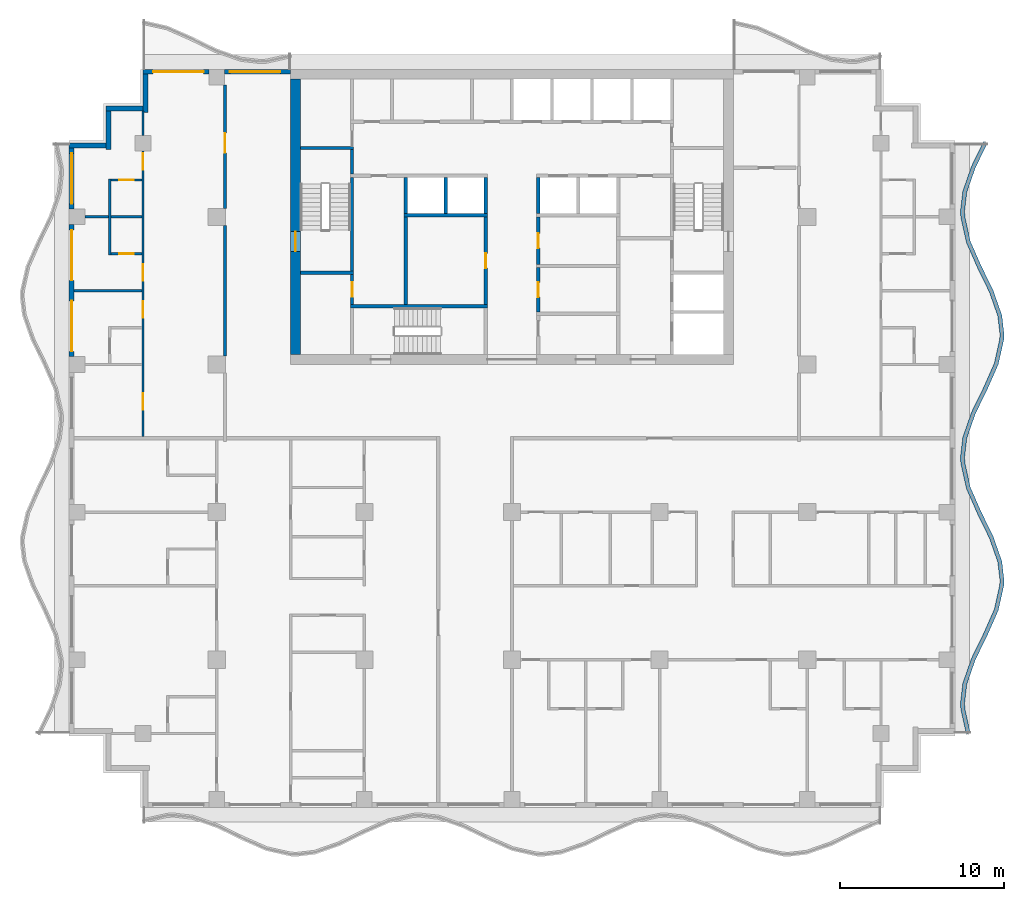
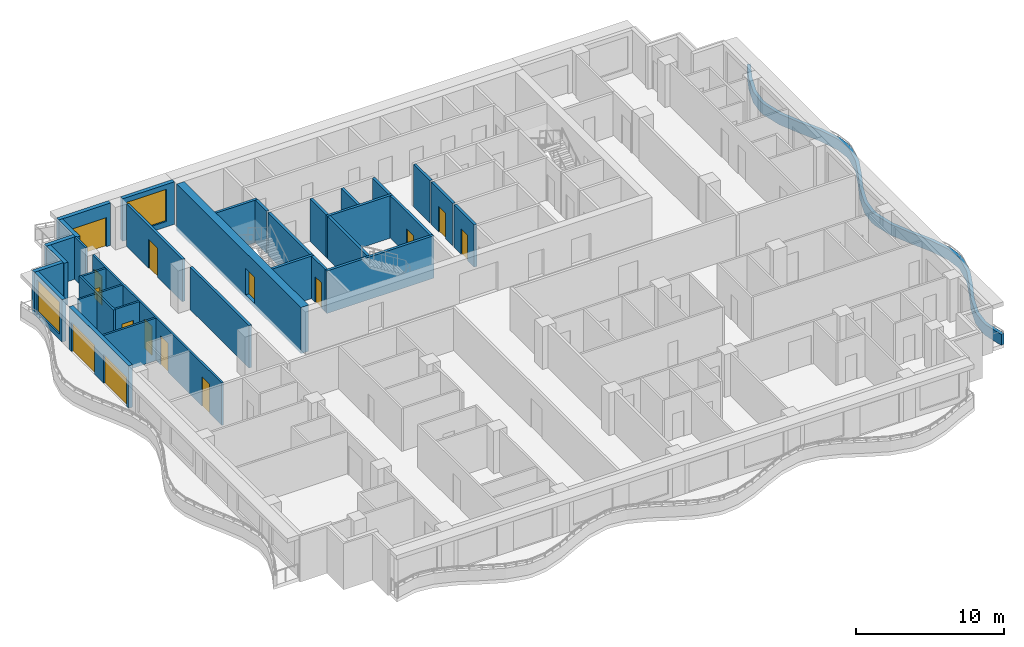
# One storey, part 5 of 11: 35 walls, 15 doors, 2 windows, 17 openings.
"""IFC4 building model written with IfcOpenShell, lengths in metres."""

from ifc_helpers import new_model, si_unit, direction, frame, frame_2d, origin, place, context, subcontext, project, spatial, polyline, rectangle, outline, extrude, material, layer, layer_set, type_object, element, fill, save


model = new_model("IFC4")

# Units and contexts
model_context = context("Model", 3, precision=1e-05, world=origin(), true_north=direction((0.0, 1.0)))
body_context = subcontext(model_context, "Body", "Model", "MODEL_VIEW")
ifc_project = project(units=[si_unit("LENGTHUNIT", "METRE"), si_unit("AREAUNIT", "SQUARE_METRE"), si_unit("VOLUMEUNIT", "CUBIC_METRE"), si_unit("PLANEANGLEUNIT", "RADIAN"), si_unit("MASSUNIT", "GRAM", prefix="KILO")], contexts=[model_context])

# Site, building, storey
site_placement = place(None, origin())
site = spatial("IfcSite", under=ifc_project, at=site_placement, CompositionType="ELEMENT")
building_placement = place(site_placement, origin())
building = spatial("IfcBuilding", under=site, at=building_placement, Name="Orbiselva Terraces", CompositionType="ELEMENT")
storey_placement = place(building_placement, frame((0.0, 0.0, 230.0)))
storey = spatial("IfcBuildingStorey", under=building, at=storey_placement, Name="L58", CompositionType="ELEMENT", Elevation=230.0)

# Wall, opening, door
ifc_material_1 = material(Name="Concrete C80/95", Category="concrete")
ifc_layer_1 = layer(ifc_material_1, 0.6)
ifc_layer_set_1 = layer_set([ifc_layer_1], Name="Concrete C80/95")
wall_type_1 = type_object("IfcWallType", Name="CORE WALL 600", PredefinedType="SHEAR", material=ifc_layer_set_1)
wall_1_placement = place(storey_placement, frame((-13.2, 21.9, -0.3), z_axis=(0.0, 0.0, 1.0), x_axis=(0.0, -1.0, 0.0)))
wall_1 = element("IfcWall", 1, at=wall_1_placement, inside=storey, type_object=wall_type_1, Name="Core wall L58 west", PredefinedType="SHEAR", context=body_context, shape_type="SweptSolid", body=[
    extrude(rectangle(XDim=16.8, YDim=0.6, at=frame_2d((8.4, 0.0))), origin(), (0.0, 0.0, 1.0), 3.8),
])
opening_1_placement = place(wall_1_placement, frame((9.3, 0.0, 0.3)))
opening_1 = element("IfcOpeningElement", 2, at=opening_1_placement, cuts=wall_1, Name="Opening DS1200", PredefinedType="OPENING", context=body_context, shape_type="SweptSolid", body=[
    extrude(rectangle(XDim=1.2, YDim=2.2, at=frame_2d((0.6, 1.1))), frame((0.0, 0.31, 0.0), z_axis=(0.0, -1.0, 0.0), x_axis=(1.0, 0.0, 0.0)), (0.0, 0.0, 1.0), 0.62),
])
ifc_material_2 = material(Name="Steel fire door", Category="steel")
door_type_1 = type_object("IfcDoorType", Name="STAIR DOOR 1200", OperationType="NOTDEFINED", PredefinedType="DOOR", material=ifc_material_2)
door_1_placement = place(opening_1_placement, frame((1.2, 0.0, 0.0), z_axis=(0.0, 0.0, 1.0), x_axis=(-1.0, 0.0, 0.0)))
door_1 = element("IfcDoor", 3, at=door_1_placement, inside=storey, type_object=door_type_1, Name="L58 EXIT STAIR S1 door", OperationType="SINGLE_SWING_RIGHT", OverallHeight=2.2, OverallWidth=1.2, PredefinedType="DOOR", context=body_context, shape_type="SweptSolid", body=[
    extrude(rectangle(XDim=1.2, YDim=2.2, at=frame_2d((0.6, 1.1))), frame((0.0, 0.025, 0.0), z_axis=(0.0, -1.0, 0.0), x_axis=(1.0, 0.0, 0.0)), (0.0, 0.0, 1.0), 0.05),
])
fill(opening_1, door_1)

ifc_material_3 = material(Name="Masonry blockwork", Category="masonry")
ifc_layer_2 = layer(ifc_material_3, 0.2)
ifc_layer_set_2 = layer_set([ifc_layer_2], Name="Masonry blockwork")
wall_type_2 = type_object("IfcWallType", Name="CORE-WALL-PARTITION-200", PredefinedType="PARTITIONING", material=ifc_layer_set_2)
wall_2_placement = place(storey_placement, frame((-9.75, 8.15, 0.0), z_axis=(0.0, 0.0, 1.0), x_axis=(0.0, 1.0, 0.0)))
wall_2 = element("IfcWall", 4, at=wall_2_placement, inside=storey, type_object=wall_type_2, Name="L58 core wall 05", PredefinedType="PARTITIONING", context=body_context, shape_type="SweptSolid", body=[
    extrude(rectangle(XDim=1.85, YDim=0.2, at=frame_2d((0.925, 0.0))), origin(), (0.0, 0.0, 1.0), 3.5),
])
opening_2_placement = place(wall_2_placement, frame((0.475, 0.0, 0.0)))
opening_2 = element("IfcOpeningElement", 5, at=opening_2_placement, cuts=wall_2, Name="Opening DR900", PredefinedType="OPENING", context=body_context, shape_type="SweptSolid", body=[
    extrude(rectangle(XDim=0.9, YDim=2.1, at=frame_2d((0.45, 1.05))), frame((0.0, 0.11, 0.0), z_axis=(0.0, -1.0, 0.0), x_axis=(1.0, 0.0, 0.0)), (0.0, 0.0, 1.0), 0.22),
])
door_type_2 = type_object("IfcDoorType", Name="ROOM DOOR 900", OperationType="NOTDEFINED", PredefinedType="DOOR", material=ifc_material_2)
door_2_placement = place(opening_2_placement, origin())
door_2 = element("IfcDoor", 6, at=door_2_placement, inside=storey, type_object=door_type_2, Name="L58 STAFF WC door", OperationType="SINGLE_SWING_RIGHT", OverallHeight=2.1, OverallWidth=0.9, PredefinedType="DOOR", context=body_context, shape_type="SweptSolid", body=[
    extrude(rectangle(XDim=0.9, YDim=2.1, at=frame_2d((0.45, 1.05))), frame((0.0, 0.025, 0.0), z_axis=(0.0, -1.0, 0.0), x_axis=(1.0, 0.0, 0.0)), (0.0, 0.0, 1.0), 0.05),
])
fill(opening_2, door_2)

# Wall
wall_3_placement = place(storey_placement, frame((-6.475, 8.15, 0.0), z_axis=(0.0, 0.0, 1.0), x_axis=(0.0, 1.0, 0.0)))
element("IfcWall", 7, at=wall_3_placement, inside=storey, type_object=wall_type_2, Name="L58 core wall 13", PredefinedType="PARTITIONING", context=body_context, shape_type="SweptSolid", body=[
    extrude(rectangle(XDim=5.35, YDim=0.2, at=frame_2d((2.675, 0.0))), origin(), (0.0, 0.0, 1.0), 3.5),
])

# Wall, opening, door
wall_4_placement = place(storey_placement, frame((1.6, 10.4, 0.0), z_axis=(0.0, 0.0, 1.0), x_axis=(0.0, -1.0, 0.0)))
wall_4 = element("IfcWall", 8, at=wall_4_placement, inside=storey, type_object=wall_type_2, Name="L58 core wall 24", PredefinedType="PARTITIONING", context=body_context, shape_type="SweptSolid", body=[
    extrude(rectangle(XDim=2.7, YDim=0.2, at=frame_2d((1.35, 0.0))), origin(), (0.0, 0.0, 1.0), 3.5),
])
opening_3_placement = place(wall_4_placement, frame((0.9, 0.0, 0.0)))
opening_3 = element("IfcOpeningElement", 9, at=opening_3_placement, cuts=wall_4, Name="Opening DR900", PredefinedType="OPENING", context=body_context, shape_type="SweptSolid", body=[
    extrude(rectangle(XDim=0.9, YDim=2.1, at=frame_2d((0.45, 1.05))), frame((0.0, 0.11, 0.0), z_axis=(0.0, -1.0, 0.0), x_axis=(1.0, 0.0, 0.0)), (0.0, 0.0, 1.0), 0.22),
])
door_3_placement = place(opening_3_placement, origin())
door_3 = element("IfcDoor", 10, at=door_3_placement, inside=storey, type_object=door_type_2, Name="L58 SERVICE PANTRY door", OperationType="SINGLE_SWING_LEFT", OverallHeight=2.1, OverallWidth=0.9, PredefinedType="DOOR", context=body_context, shape_type="SweptSolid", body=[
    extrude(rectangle(XDim=0.9, YDim=2.1, at=frame_2d((0.45, 1.05))), frame((0.0, 0.025, 0.0), z_axis=(0.0, -1.0, 0.0), x_axis=(1.0, 0.0, 0.0)), (0.0, 0.0, 1.0), 0.05),
])
fill(opening_3, door_3)

wall_5_placement = place(storey_placement, frame((1.6, 13.5, 0.0), z_axis=(0.0, 0.0, 1.0), x_axis=(0.0, -1.0, 0.0)))
wall_5 = element("IfcWall", 11, at=wall_5_placement, inside=storey, type_object=wall_type_2, Name="L58 core wall 26", PredefinedType="PARTITIONING", context=body_context, shape_type="SweptSolid", body=[
    extrude(rectangle(XDim=2.9, YDim=0.2, at=frame_2d((1.45, 0.0))), origin(), (0.0, 0.0, 1.0), 3.5),
])
opening_4_placement = place(wall_5_placement, frame((1.0, 0.0, 0.0)))
opening_4 = element("IfcOpeningElement", 12, at=opening_4_placement, cuts=wall_5, Name="Opening DR900", PredefinedType="OPENING", context=body_context, shape_type="SweptSolid", body=[
    extrude(rectangle(XDim=0.9, YDim=2.1, at=frame_2d((0.45, 1.05))), frame((0.0, 0.11, 0.0), z_axis=(0.0, -1.0, 0.0), x_axis=(1.0, 0.0, 0.0)), (0.0, 0.0, 1.0), 0.22),
])
door_4_placement = place(opening_4_placement, origin())
door_4 = element("IfcDoor", 13, at=door_4_placement, inside=storey, type_object=door_type_2, Name="L58 STAFF WC door", OperationType="SINGLE_SWING_LEFT", OverallHeight=2.1, OverallWidth=0.9, PredefinedType="DOOR", context=body_context, shape_type="SweptSolid", body=[
    extrude(rectangle(XDim=0.9, YDim=2.1, at=frame_2d((0.45, 1.05))), frame((0.0, 0.025, 0.0), z_axis=(0.0, -1.0, 0.0), x_axis=(1.0, 0.0, 0.0)), (0.0, 0.0, 1.0), 0.05),
])
fill(opening_4, door_4)

# Walls
ifc_material_4 = material(Name="Concrete C40/50", Category="concrete")
ifc_layer_3 = layer(ifc_material_4, 0.2)
ifc_layer_set_3 = layer_set([ifc_layer_3], Name="Concrete C40/50")
wall_type_3 = type_object("IfcWallType", Name="CORE-WALL-SHAFT-200", PredefinedType="PARTITIONING", material=ifc_layer_set_3)
for number, where, z_axis, x_axis, name in (
    (14, (-6.475, 13.7, 0.0), (0.0, 0.0, 1.0), (0.0, 1.0, 0.0), "L58 core wall 15"),
    (15, (-4.0375, 13.7, 0.0), (0.0, 0.0, 1.0), (0.0, 1.0, 0.0), "L58 core wall 16"),
    (16, (-1.6, 13.7, 0.0), (0.0, 0.0, 1.0), (0.0, 1.0, 0.0), "L58 core wall 20"),
    (17, (1.6, 13.7, 0.0), (0.0, 0.0, 1.0), (0.0, 1.0, 0.0), "L58 core wall 28"),
):
    element("IfcWall", number, at=place(storey_placement, frame(where, z_axis=z_axis, x_axis=x_axis)), inside=storey, type_object=wall_type_3, Name=name, PredefinedType="PARTITIONING", context=body_context, shape_type="SweptSolid", body=[
        extrude(rectangle(XDim=2.2, YDim=0.2, at=frame_2d((1.1, 0.0))), origin(), (0.0, 0.0, 1.0), 3.5),
    ])
ifc_material_5 = material(Name="Concrete C60/75", Category="concrete")
ifc_layer_4 = layer(ifc_material_5, 0.2)
ifc_layer_set_4 = layer_set([ifc_layer_4], Name="Concrete C60/75")
wall_type_4 = type_object("IfcWallType", Name="CORE-WALL-SHEAR-200", PredefinedType="SHEAR", material=ifc_layer_set_4)
for number, where, z_axis, x_axis, name in (
    (18, (-12.9, 10.1, 0.0), (0.0, 0.0, 1.0), (1.0, 0.0, 0.0), "L58 core wall 01"),
    (19, (-12.9, 17.7, 0.0), (0.0, 0.0, 1.0), (1.0, 0.0, 0.0), "L58 core wall 02"),
):
    element("IfcWall", number, at=place(storey_placement, frame(where, z_axis=z_axis, x_axis=x_axis)), inside=storey, type_object=wall_type_4, Name=name, PredefinedType="SHEAR", context=body_context, shape_type="SweptSolid", body=[
        extrude(rectangle(XDim=3.25, YDim=0.2, at=frame_2d((1.625, 0.0))), origin(), (0.0, 0.0, 1.0), 3.5),
    ])
wall_6_placement = place(storey_placement, frame((-9.85, 8.05, 0.0), z_axis=(0.0, 0.0, 1.0), x_axis=(1.0, 0.0, 0.0)))
element("IfcWall", 20, at=wall_6_placement, inside=storey, type_object=wall_type_4, Name="L58 core wall 04", PredefinedType="SHEAR", context=body_context, shape_type="SweptSolid", body=[
    extrude(rectangle(XDim=8.35, YDim=0.2, at=frame_2d((4.175, 0.0))), origin(), (0.0, 0.0, 1.0), 3.5),
])
wall_7_placement = place(storey_placement, frame((-9.75, 10.2, 0.0), z_axis=(0.0, 0.0, 1.0), x_axis=(0.0, 1.0, 0.0)))
element("IfcWall", 21, at=wall_7_placement, inside=storey, type_object=wall_type_4, Name="L58 core wall 06", PredefinedType="SHEAR", context=body_context, shape_type="SweptSolid", body=[
    extrude(rectangle(XDim=5.7, YDim=0.2, at=frame_2d((2.85, 0.0))), origin(), (0.0, 0.0, 1.0), 3.5),
])
wall_8_placement = place(storey_placement, frame((-9.75, 16.1, 0.0), z_axis=(0.0, 0.0, 1.0), x_axis=(0.0, 1.0, 0.0)))
element("IfcWall", 22, at=wall_8_placement, inside=storey, type_object=wall_type_4, Name="L58 core wall 08", PredefinedType="SHEAR", context=body_context, shape_type="SweptSolid", body=[
    extrude(rectangle(XDim=1.5, YDim=0.2, at=frame_2d((0.75, 0.0))), origin(), (0.0, 0.0, 1.0), 3.5),
])
wall_9_placement = place(storey_placement, frame((-6.575, 13.6, 0.0), z_axis=(0.0, 0.0, 1.0), x_axis=(1.0, 0.0, 0.0)))
element("IfcWall", 23, at=wall_9_placement, inside=storey, type_object=wall_type_4, Name="L58 core wall 14", PredefinedType="SHEAR", context=body_context, shape_type="SweptSolid", body=[
    extrude(rectangle(XDim=5.075, YDim=0.2, at=frame_2d((2.5375, 0.0))), origin(), (0.0, 0.0, 1.0), 3.5),
])

# Wall, opening, door
wall_10_placement = place(storey_placement, frame((-1.6, 8.15, 0.0), z_axis=(0.0, 0.0, 1.0), x_axis=(0.0, 1.0, 0.0)))
wall_10 = element("IfcWall", 24, at=wall_10_placement, inside=storey, type_object=wall_type_4, Name="L58 core wall 19", PredefinedType="SHEAR", context=body_context, shape_type="SweptSolid", body=[
    extrude(rectangle(XDim=5.35, YDim=0.2, at=frame_2d((2.675, 0.0))), origin(), (0.0, 0.0, 1.0), 3.5),
])
opening_5_placement = place(wall_10_placement, frame((2.225, 0.0, 0.0)))
opening_5 = element("IfcOpeningElement", 25, at=opening_5_placement, cuts=wall_10, Name="Opening DR900", PredefinedType="OPENING", context=body_context, shape_type="SweptSolid", body=[
    extrude(rectangle(XDim=0.9, YDim=2.1, at=frame_2d((0.45, 1.05))), frame((0.0, 0.11, 0.0), z_axis=(0.0, -1.0, 0.0), x_axis=(1.0, 0.0, 0.0)), (0.0, 0.0, 1.0), 0.22),
])
door_5_placement = place(opening_5_placement, origin())
door_5 = element("IfcDoor", 26, at=door_5_placement, inside=storey, type_object=door_type_2, Name="L58 HOUSEKEEPING STORE door", OperationType="SINGLE_SWING_RIGHT", OverallHeight=2.1, OverallWidth=0.9, PredefinedType="DOOR", context=body_context, shape_type="SweptSolid", body=[
    extrude(rectangle(XDim=0.9, YDim=2.1, at=frame_2d((0.45, 1.05))), frame((0.0, 0.025, 0.0), z_axis=(0.0, -1.0, 0.0), x_axis=(1.0, 0.0, 0.0)), (0.0, 0.0, 1.0), 0.05),
])
fill(opening_5, door_5)

# Wall
ifc_layer_5 = layer(ifc_material_4, 0.25)
ifc_layer_set_5 = layer_set([ifc_layer_5], Name="Concrete C40/50")
wall_type_5 = type_object("IfcWallType", Name="ENV-PLANTER-250x900", PredefinedType="USERDEFINED", material=ifc_layer_set_5)
wall_11_placement = place(storey_placement, origin())
element("IfcWall", 27, at=wall_11_placement, inside=storey, type_object=wall_type_5, Name="Balcony planter L58 E", ObjectType="PLANTER", PredefinedType="USERDEFINED", context=body_context, shape_type="SweptSolid", body=[
    extrude(outline(polyline([(27.951472, -18.0), (27.614774, -16.5), (27.6, -16.125), (27.730792, -15.0), (28.255211, -13.5), (28.987721, -12.0), (29.648528, -10.5), (29.985226, -9.0), (30.0, -8.625), (29.869208, -7.5), (29.344789, -6.0), (28.612279, -4.5), (27.951472, -3.0), (27.614774, -1.5), (27.6, -1.125), (27.730792, 0.0), (28.255211, 1.5), (28.987721, 3.0), (29.648528, 4.5), (29.985226, 6.0), (30.0, 6.375), (29.869208, 7.5), (29.344789, 9.0), (28.612279, 10.5), (27.951472, 12.0), (27.614774, 13.5), (27.6, 13.875), (27.730792, 15.0), (28.255211, 16.5), (28.987721, 18.0), (28.763076, 18.109703), (28.024089, 16.59644), (27.485662, 15.056371), (27.349429, 13.884572), (27.365863, 13.467435), (27.712874, 11.921492), (28.385477, 10.394714), (29.113667, 8.90356), (29.624078, 7.443629), (29.749429, 6.365428), (29.736315, 6.032565), (29.40993, 4.578508), (28.760919, 3.105286), (28.024089, 1.59644), (27.485662, 0.056371), (27.349429, -1.115428), (27.365863, -1.532565), (27.712874, -3.078508), (28.385477, -4.605286), (29.113667, -6.09644), (29.624078, -7.556371), (29.749429, -8.634572), (29.736315, -8.967435), (29.40993, -10.421492), (28.760919, -11.894714), (28.024089, -13.40356), (27.485662, -14.943629), (27.349429, -16.115428), (27.365863, -16.532565), (27.707542, -18.054754), (27.951472, -18.0)])), origin(), (0.0, 0.0, 1.0), 0.9),
])

# Wall, opening, window
ifc_material_6 = material(Name="Terracotta cladding on masonry backing", Category="masonry")
ifc_layer_6 = layer(ifc_material_6, 0.3)
ifc_layer_set_6 = layer_set([ifc_layer_6], Name="Terracotta cladding on masonry backing")
wall_type_6 = type_object("IfcWallType", Name="ENV-WALL-TERRACOTTA-300", PredefinedType="SOLIDWALL", material=ifc_layer_set_6)
wall_12_placement = place(storey_placement, frame((-17.525, 22.35, 0.0), z_axis=(0.0, 0.0, 1.0), x_axis=(1.0, 0.0, 0.0)))
wall_12 = element("IfcWall", 28, at=wall_12_placement, inside=storey, type_object=wall_type_6, Name="Facade wall L58 NW", PredefinedType="SOLIDWALL", context=body_context, shape_type="SweptSolid", body=[
    extrude(rectangle(XDim=4.025, YDim=0.3, at=frame_2d((2.0125, 0.0))), origin(), (0.0, 0.0, 1.0), 3.5),
])
opening_6_placement = place(wall_12_placement, frame((0.325, 0.0, 0.45)))
opening_6 = element("IfcOpeningElement", 29, at=opening_6_placement, cuts=wall_12, Name="Opening WN15", PredefinedType="OPENING", context=body_context, shape_type="SweptSolid", body=[
    extrude(rectangle(XDim=3.075, YDim=2.65, at=frame_2d((1.5375, 1.325))), frame((0.0, 0.16, 0.0), z_axis=(0.0, -1.0, 0.0), x_axis=(1.0, 0.0, 0.0)), (0.0, 0.0, 1.0), 0.32),
])
ifc_material_7 = material(Name="Clear low-e glazing in aluminium frame", Category="aluminium")
window_type = type_object("IfcWindowType", Name="WINDOW 3075 X 2650 S450", PartitioningType="TRIPLE_PANEL_VERTICAL", PredefinedType="WINDOW", material=ifc_material_7)
window_1_placement = place(opening_6_placement, origin())
window_1 = element("IfcWindow", 30, at=window_1_placement, inside=storey, type_object=window_type, Name="Window L58 NW", OverallHeight=2.65, OverallWidth=3.075, PartitioningType="SINGLE_PANEL", PredefinedType="WINDOW", context=body_context, shape_type="SweptSolid", body=[
    extrude(rectangle(XDim=3.075, YDim=2.65, at=frame_2d((1.5375, 1.325))), frame((0.0, 0.03, 0.0), z_axis=(0.0, -1.0, 0.0), x_axis=(1.0, 0.0, 0.0)), (0.0, 0.0, 1.0), 0.06),
])
fill(opening_6, window_1)

# Wall, opening, door
wall_13_placement = place(storey_placement, frame((-22.5, 22.35, 0.0), z_axis=(0.0, 0.0, 1.0), x_axis=(1.0, 0.0, 0.0)))
wall_13 = element("IfcWall", 31, at=wall_13_placement, inside=storey, type_object=wall_type_6, Name="Facade wall L58 NW", PredefinedType="SOLIDWALL", context=body_context, shape_type="SweptSolid", body=[
    extrude(rectangle(XDim=4.025, YDim=0.3, at=frame_2d((2.0125, 0.0))), origin(), (0.0, 0.0, 1.0), 3.5),
])
opening_7_placement = place(wall_13_placement, frame((0.625, 0.0, 0.0)))
opening_7 = element("IfcOpeningElement", 32, at=opening_7_placement, cuts=wall_13, Name="Opening Z4-E-E14", PredefinedType="OPENING", context=body_context, shape_type="SweptSolid", body=[
    extrude(rectangle(XDim=3.075, YDim=2.4, at=frame_2d((1.5375, 1.2))), frame((0.0, 0.16, 0.0), z_axis=(0.0, -1.0, 0.0), x_axis=(1.0, 0.0, 0.0)), (0.0, 0.0, 1.0), 0.32),
])
door_type_3 = type_object("IfcDoorType", Name="BALCONY DOOR 3075 X 2400", OperationType="DOUBLE_DOOR_SLIDING", PredefinedType="DOOR", material=ifc_material_7)
door_6_placement = place(opening_7_placement, origin())
door_6 = element("IfcDoor", 33, at=door_6_placement, inside=storey, type_object=door_type_3, Name="Z4-E-E14", OperationType="SINGLE_SWING_LEFT", OverallHeight=2.4, OverallWidth=3.075, PredefinedType="DOOR", context=body_context, shape_type="SweptSolid", body=[
    extrude(rectangle(XDim=3.075, YDim=2.4, at=frame_2d((1.5375, 1.2))), frame((0.0, 0.025, 0.0), z_axis=(0.0, -1.0, 0.0), x_axis=(1.0, 0.0, 0.0)), (0.0, 0.0, 1.0), 0.05),
])
fill(opening_7, door_6)

# Walls
wall_14_placement = place(storey_placement, frame((-22.35, 19.85, 0.0), z_axis=(0.0, 0.0, 1.0), x_axis=(0.0, 1.0, 0.0)))
element("IfcWall", 34, at=wall_14_placement, inside=storey, type_object=wall_type_6, Name="Facade wall L58 STEP", PredefinedType="SOLIDWALL", context=body_context, shape_type="SweptSolid", body=[
    extrude(rectangle(XDim=2.35, YDim=0.3, at=frame_2d((1.175, 0.0))), origin(), (0.0, 0.0, 1.0), 3.5),
])
wall_15_placement = place(storey_placement, frame((-24.75, 20.1, 0.0), z_axis=(0.0, 0.0, 1.0), x_axis=(1.0, 0.0, 0.0)))
element("IfcWall", 35, at=wall_15_placement, inside=storey, type_object=wall_type_6, Name="Facade wall L58 STEP", PredefinedType="SOLIDWALL", context=body_context, shape_type="SweptSolid", body=[
    extrude(rectangle(XDim=2.25, YDim=0.3, at=frame_2d((1.125, 0.0))), origin(), (0.0, 0.0, 1.0), 3.5),
])
wall_16_placement = place(storey_placement, frame((-24.6, 17.6, 0.0), z_axis=(0.0, 0.0, 1.0), x_axis=(0.0, 1.0, 0.0)))
element("IfcWall", 36, at=wall_16_placement, inside=storey, type_object=wall_type_6, Name="Facade wall L58 STEP", PredefinedType="SOLIDWALL", context=body_context, shape_type="SweptSolid", body=[
    extrude(rectangle(XDim=2.35, YDim=0.3, at=frame_2d((1.175, 0.0))), origin(), (0.0, 0.0, 1.0), 3.5),
])
wall_17_placement = place(storey_placement, frame((-27.0, 17.85, 0.0), z_axis=(0.0, 0.0, 1.0), x_axis=(1.0, 0.0, 0.0)))
element("IfcWall", 37, at=wall_17_placement, inside=storey, type_object=wall_type_6, Name="Facade wall L58 STEP", PredefinedType="SOLIDWALL", context=body_context, shape_type="SweptSolid", body=[
    extrude(rectangle(XDim=2.25, YDim=0.3, at=frame_2d((1.125, 0.0))), origin(), (0.0, 0.0, 1.0), 3.5),
])

# Wall, opening, window
wall_18_placement = place(storey_placement, frame((-26.85, 13.975, 0.0), z_axis=(0.0, 0.0, 1.0), x_axis=(0.0, 1.0, 0.0)))
wall_18 = element("IfcWall", 38, at=wall_18_placement, inside=storey, type_object=wall_type_6, Name="Facade wall L58 W", PredefinedType="SOLIDWALL", context=body_context, shape_type="SweptSolid", body=[
    extrude(rectangle(XDim=3.725, YDim=0.3, at=frame_2d((1.8625, 0.0))), origin(), (0.0, 0.0, 1.0), 3.5),
])
opening_8_placement = place(wall_18_placement, frame((0.325, 0.0, 0.45)))
opening_8 = element("IfcOpeningElement", 39, at=opening_8_placement, cuts=wall_18, Name="Opening WN15", PredefinedType="OPENING", context=body_context, shape_type="SweptSolid", body=[
    extrude(rectangle(XDim=3.075, YDim=2.65, at=frame_2d((1.5375, 1.325))), frame((0.0, 0.16, 0.0), z_axis=(0.0, -1.0, 0.0), x_axis=(1.0, 0.0, 0.0)), (0.0, 0.0, 1.0), 0.32),
])
window_2_placement = place(opening_8_placement, origin())
window_2 = element("IfcWindow", 40, at=window_2_placement, inside=storey, type_object=window_type, Name="Window L58 W", OverallHeight=2.65, OverallWidth=3.075, PartitioningType="SINGLE_PANEL", PredefinedType="WINDOW", context=body_context, shape_type="SweptSolid", body=[
    extrude(rectangle(XDim=3.075, YDim=2.65, at=frame_2d((1.5375, 1.325))), frame((0.0, 0.03, 0.0), z_axis=(0.0, -1.0, 0.0), x_axis=(1.0, 0.0, 0.0)), (0.0, 0.0, 1.0), 0.06),
])
fill(opening_8, window_2)

# Wall, openings, doors
wall_19_placement = place(storey_placement, frame((-26.85, 4.975, 0.0), z_axis=(0.0, 0.0, 1.0), x_axis=(0.0, 1.0, 0.0)))
wall_19 = element("IfcWall", 41, at=wall_19_placement, inside=storey, type_object=wall_type_6, Name="Facade wall L58 W", PredefinedType="SOLIDWALL", context=body_context, shape_type="SweptSolid", body=[
    extrude(rectangle(XDim=8.05, YDim=0.3, at=frame_2d((4.025, 0.0))), origin(), (0.0, 0.0, 1.0), 3.5),
])
opening_9_placement = place(wall_19_placement, frame((4.65, 0.0, 0.0)))
opening_9 = element("IfcOpeningElement", 42, at=opening_9_placement, cuts=wall_19, Name="Opening Z4-E-E15", PredefinedType="OPENING", context=body_context, shape_type="SweptSolid", body=[
    extrude(rectangle(XDim=3.075, YDim=2.4, at=frame_2d((1.5375, 1.2))), frame((0.0, 0.16, 0.0), z_axis=(0.0, -1.0, 0.0), x_axis=(1.0, 0.0, 0.0)), (0.0, 0.0, 1.0), 0.32),
])
opening_10_placement = place(wall_19_placement, frame((0.325, 0.0, 0.0)))
opening_10 = element("IfcOpeningElement", 43, at=opening_10_placement, cuts=wall_19, Name="Opening Z4-E-E08", PredefinedType="OPENING", context=body_context, shape_type="SweptSolid", body=[
    extrude(rectangle(XDim=3.075, YDim=2.4, at=frame_2d((1.5375, 1.2))), frame((0.0, 0.16, 0.0), z_axis=(0.0, -1.0, 0.0), x_axis=(1.0, 0.0, 0.0)), (0.0, 0.0, 1.0), 0.32),
])
door_7_placement = place(opening_9_placement, origin())
door_7 = element("IfcDoor", 44, at=door_7_placement, inside=storey, type_object=door_type_3, Name="Z4-E-E15", OperationType="SINGLE_SWING_LEFT", OverallHeight=2.4, OverallWidth=3.075, PredefinedType="DOOR", context=body_context, shape_type="SweptSolid", body=[
    extrude(rectangle(XDim=3.075, YDim=2.4, at=frame_2d((1.5375, 1.2))), frame((0.0, 0.025, 0.0), z_axis=(0.0, -1.0, 0.0), x_axis=(1.0, 0.0, 0.0)), (0.0, 0.0, 1.0), 0.05),
])
fill(opening_9, door_7)
door_8_placement = place(opening_10_placement, origin())
door_8 = element("IfcDoor", 45, at=door_8_placement, inside=storey, type_object=door_type_3, Name="Z4-E-E08", OperationType="SINGLE_SWING_LEFT", OverallHeight=2.4, OverallWidth=3.075, PredefinedType="DOOR", context=body_context, shape_type="SweptSolid", body=[
    extrude(rectangle(XDim=3.075, YDim=2.4, at=frame_2d((1.5375, 1.2))), frame((0.0, 0.025, 0.0), z_axis=(0.0, -1.0, 0.0), x_axis=(1.0, 0.0, 0.0)), (0.0, 0.0, 1.0), 0.05),
])
fill(opening_10, door_8)

# Wall
ifc_material_8 = material(Name="Plasterboard on steel stud partition", Category="steel")
ifc_layer_7 = layer(ifc_material_8, 0.2)
ifc_layer_set_7 = layer_set([ifc_layer_7], Name="Plasterboard on steel stud partition")
wall_type_7 = type_object("IfcWallType", Name="UNIT-ENTRANCE-WALL-200", PredefinedType="PARTITIONING", material=ifc_layer_set_7)
wall_20_placement = place(storey_placement, frame((-17.5, 5.025, 0.0), z_axis=(0.0, 0.0, 1.0), x_axis=(0.0, 1.0, 0.0)))
element("IfcWall", 46, at=wall_20_placement, inside=storey, type_object=wall_type_7, Name="PARTITION L58-058", PredefinedType="PARTITIONING", context=body_context, shape_type="SweptSolid", body=[
    extrude(rectangle(XDim=7.95, YDim=0.2, at=frame_2d((3.975, 0.0))), origin(), (0.0, 0.0, 1.0), 3.5),
])

# Wall, opening, door
wall_21_placement = place(storey_placement, frame((-17.5, 14.025, 0.0), z_axis=(0.0, 0.0, 1.0), x_axis=(0.0, 1.0, 0.0)))
wall_21 = element("IfcWall", 47, at=wall_21_placement, inside=storey, type_object=wall_type_7, Name="PARTITION L58-059", PredefinedType="PARTITIONING", context=body_context, shape_type="SweptSolid", body=[
    extrude(rectangle(XDim=7.525, YDim=0.2, at=frame_2d((3.7625, 0.0))), origin(), (0.0, 0.0, 1.0), 3.5),
])
opening_11_placement = place(wall_21_placement, frame((3.375, 0.0, 0.0)))
opening_11 = element("IfcOpeningElement", 48, at=opening_11_placement, cuts=wall_21, Name="Opening Z4-E-02", PredefinedType="OPENING", context=body_context, shape_type="SweptSolid", body=[
    extrude(rectangle(XDim=1.2, YDim=2.4, at=frame_2d((0.6, 1.2))), frame((0.0, 0.11, 0.0), z_axis=(0.0, -1.0, 0.0), x_axis=(1.0, 0.0, 0.0)), (0.0, 0.0, 1.0), 0.22),
])
ifc_material_9 = material(Name="Painted timber door leaf", Category="wood")
door_type_4 = type_object("IfcDoorType", Name="ENTRANCE DOOR 1200", OperationType="NOTDEFINED", PredefinedType="DOOR", material=ifc_material_9)
door_9_placement = place(opening_11_placement, origin())
door_9 = element("IfcDoor", 49, at=door_9_placement, inside=storey, type_object=door_type_4, Name="Z4-E-02", OperationType="SINGLE_SWING_RIGHT", OverallHeight=2.4, OverallWidth=1.2, PredefinedType="DOOR", context=body_context, shape_type="SweptSolid", body=[
    extrude(rectangle(XDim=1.2, YDim=2.4, at=frame_2d((0.6, 1.2))), frame((0.0, 0.025, 0.0), z_axis=(0.0, -1.0, 0.0), x_axis=(1.0, 0.0, 0.0)), (0.0, 0.0, 1.0), 0.05),
])
fill(opening_11, door_9)

# Wall
ifc_layer_8 = layer(ifc_material_8, 0.15)
ifc_layer_set_8 = layer_set([ifc_layer_8], Name="Plasterboard on steel stud partition")
wall_type_8 = type_object("IfcWallType", Name="UNIT-PARTITION-150", PredefinedType="PARTITIONING", material=ifc_layer_set_8)
wall_22_placement = place(storey_placement, frame((-26.7, 9.0, 0.0), z_axis=(0.0, 0.0, 1.0), x_axis=(1.0, 0.0, 0.0)))
element("IfcWall", 50, at=wall_22_placement, inside=storey, type_object=wall_type_8, Name="PARTITION L58-036", PredefinedType="PARTITIONING", context=body_context, shape_type="SweptSolid", body=[
    extrude(rectangle(XDim=4.125, YDim=0.15, at=frame_2d((2.0625, 0.0))), origin(), (0.0, 0.0, 1.0), 3.5),
])

# Wall, opening, door
wall_23_placement = place(storey_placement, frame((-24.45, 11.25, 0.0), z_axis=(0.0, 0.0, 1.0), x_axis=(1.0, 0.0, 0.0)))
wall_23 = element("IfcWall", 51, at=wall_23_placement, inside=storey, type_object=wall_type_8, Name="PARTITION L58-038", PredefinedType="PARTITIONING", context=body_context, shape_type="SweptSolid", body=[
    extrude(rectangle(XDim=1.875, YDim=0.15, at=frame_2d((0.9375, 0.0))), origin(), (0.0, 0.0, 1.0), 3.5),
])
opening_12_placement = place(wall_23_placement, frame((0.5, 0.0, 0.0)))
opening_12 = element("IfcOpeningElement", 52, at=opening_12_placement, cuts=wall_23, Name="Opening Z4-E-07", PredefinedType="OPENING", context=body_context, shape_type="SweptSolid", body=[
    extrude(rectangle(XDim=0.9, YDim=2.1, at=frame_2d((0.45, 1.05))), frame((0.0, 0.085, 0.0), z_axis=(0.0, -1.0, 0.0), x_axis=(1.0, 0.0, 0.0)), (0.0, 0.0, 1.0), 0.17),
])
door_type_5 = type_object("IfcDoorType", Name="BATH DOOR 900", OperationType="NOTDEFINED", PredefinedType="DOOR", material=ifc_material_9)
door_10_placement = place(opening_12_placement, origin())
door_10 = element("IfcDoor", 53, at=door_10_placement, inside=storey, type_object=door_type_5, Name="Z4-E-07", OperationType="SINGLE_SWING_RIGHT", OverallHeight=2.1, OverallWidth=0.9, PredefinedType="DOOR", context=body_context, shape_type="SweptSolid", body=[
    extrude(rectangle(XDim=0.9, YDim=2.1, at=frame_2d((0.45, 1.05))), frame((0.0, 0.025, 0.0), z_axis=(0.0, -1.0, 0.0), x_axis=(1.0, 0.0, 0.0)), (0.0, 0.0, 1.0), 0.05),
])
fill(opening_12, door_10)

# Walls
wall_24_placement = place(storey_placement, frame((-26.05, 13.5, 0.0), z_axis=(0.0, 0.0, 1.0), x_axis=(1.0, 0.0, 0.0)))
element("IfcWall", 54, at=wall_24_placement, inside=storey, type_object=wall_type_8, Name="PARTITION L58-040", PredefinedType="PARTITIONING", context=body_context, shape_type="SweptSolid", body=[
    extrude(rectangle(XDim=1.45, YDim=0.15, at=frame_2d((0.725, 0.0))), origin(), (0.0, 0.0, 1.0), 3.5),
])
wall_25_placement = place(storey_placement, frame((-24.45, 13.5, 0.0), z_axis=(0.0, 0.0, 1.0), x_axis=(1.0, 0.0, 0.0)))
element("IfcWall", 55, at=wall_25_placement, inside=storey, type_object=wall_type_8, Name="PARTITION L58-041", PredefinedType="PARTITIONING", context=body_context, shape_type="SweptSolid", body=[
    extrude(rectangle(XDim=1.875, YDim=0.15, at=frame_2d((0.9375, 0.0))), origin(), (0.0, 0.0, 1.0), 3.5),
])

# Wall, opening, door
wall_26_placement = place(storey_placement, frame((-22.575, 15.75, 0.0), z_axis=(0.0, 0.0, 1.0), x_axis=(-1.0, 0.0, 0.0)))
wall_26 = element("IfcWall", 56, at=wall_26_placement, inside=storey, type_object=wall_type_8, Name="PARTITION L58-044", PredefinedType="PARTITIONING", context=body_context, shape_type="SweptSolid", body=[
    extrude(rectangle(XDim=1.875, YDim=0.15, at=frame_2d((0.9375, 0.0))), origin(), (0.0, 0.0, 1.0), 3.5),
])
opening_13_placement = place(wall_26_placement, frame((0.475, 0.0, 0.0)))
opening_13 = element("IfcOpeningElement", 57, at=opening_13_placement, cuts=wall_26, Name="Opening Z4-E-09", PredefinedType="OPENING", context=body_context, shape_type="SweptSolid", body=[
    extrude(rectangle(XDim=0.9, YDim=2.1, at=frame_2d((0.45, 1.05))), frame((0.0, 0.085, 0.0), z_axis=(0.0, -1.0, 0.0), x_axis=(1.0, 0.0, 0.0)), (0.0, 0.0, 1.0), 0.17),
])
door_11_placement = place(opening_13_placement, origin())
door_11 = element("IfcDoor", 58, at=door_11_placement, inside=storey, type_object=door_type_5, Name="Z4-E-09", OperationType="SINGLE_SWING_LEFT", OverallHeight=2.1, OverallWidth=0.9, PredefinedType="DOOR", context=body_context, shape_type="SweptSolid", body=[
    extrude(rectangle(XDim=0.9, YDim=2.1, at=frame_2d((0.45, 1.05))), frame((0.0, 0.025, 0.0), z_axis=(0.0, -1.0, 0.0), x_axis=(1.0, 0.0, 0.0)), (0.0, 0.0, 1.0), 0.05),
])
fill(opening_13, door_11)

# Wall
wall_27_placement = place(storey_placement, frame((-24.525, 11.175, 0.0), z_axis=(0.0, 0.0, 1.0), x_axis=(0.0, 1.0, 0.0)))
element("IfcWall", 59, at=wall_27_placement, inside=storey, type_object=wall_type_8, Name="PARTITION L58-048", PredefinedType="PARTITIONING", context=body_context, shape_type="SweptSolid", body=[
    extrude(rectangle(XDim=4.65, YDim=0.15, at=frame_2d((2.325, 0.0))), origin(), (0.0, 0.0, 1.0), 3.5),
])

# Wall, openings, doors
wall_28_placement = place(storey_placement, frame((-22.5, 0.1, 0.0), z_axis=(0.0, 0.0, 1.0), x_axis=(0.0, 1.0, 0.0)))
wall_28 = element("IfcWall", 60, at=wall_28_placement, inside=storey, type_object=wall_type_8, Name="PARTITION L58-049", PredefinedType="PARTITIONING", context=body_context, shape_type="SweptSolid", body=[
    extrude(rectangle(XDim=17.425, YDim=0.15, at=frame_2d((8.7125, 0.0))), origin(), (0.0, 0.0, 1.0), 3.5),
])
opening_14_placement = place(wall_28_placement, frame((1.65, 0.0, 0.0)))
opening_14 = element("IfcOpeningElement", 61, at=opening_14_placement, cuts=wall_28, Name="Opening Z4-E-03", PredefinedType="OPENING", context=body_context, shape_type="SweptSolid", body=[
    extrude(rectangle(XDim=1.0, YDim=2.4, at=frame_2d((0.5, 1.2))), frame((0.0, 0.085, 0.0), z_axis=(0.0, -1.0, 0.0), x_axis=(1.0, 0.0, 0.0)), (0.0, 0.0, 1.0), 0.17),
])
opening_15_placement = place(wall_28_placement, frame((7.25, 0.0, 0.0)))
opening_15 = element("IfcOpeningElement", 62, at=opening_15_placement, cuts=wall_28, Name="Opening Z4-E-04", PredefinedType="OPENING", context=body_context, shape_type="SweptSolid", body=[
    extrude(rectangle(XDim=1.0, YDim=2.4, at=frame_2d((0.5, 1.2))), frame((0.0, 0.085, 0.0), z_axis=(0.0, -1.0, 0.0), x_axis=(1.0, 0.0, 0.0)), (0.0, 0.0, 1.0), 0.17),
])
opening_16_placement = place(wall_28_placement, frame((9.5, 0.0, 0.0)))
opening_16 = element("IfcOpeningElement", 63, at=opening_16_placement, cuts=wall_28, Name="Opening Z4-E-06", PredefinedType="OPENING", context=body_context, shape_type="SweptSolid", body=[
    extrude(rectangle(XDim=1.0, YDim=2.4, at=frame_2d((0.5, 1.2))), frame((0.0, 0.085, 0.0), z_axis=(0.0, -1.0, 0.0), x_axis=(1.0, 0.0, 0.0)), (0.0, 0.0, 1.0), 0.17),
])
opening_17_placement = place(wall_28_placement, frame((16.275, 0.0, 0.0)))
opening_17 = element("IfcOpeningElement", 64, at=opening_17_placement, cuts=wall_28, Name="Opening Z4-E-08", PredefinedType="OPENING", context=body_context, shape_type="SweptSolid", body=[
    extrude(rectangle(XDim=1.0, YDim=2.4, at=frame_2d((0.5, 1.2))), frame((0.0, 0.085, 0.0), z_axis=(0.0, -1.0, 0.0), x_axis=(1.0, 0.0, 0.0)), (0.0, 0.0, 1.0), 0.17),
])
door_type_6 = type_object("IfcDoorType", Name="ROOM DOOR 1000", OperationType="NOTDEFINED", PredefinedType="DOOR", material=ifc_material_9)
door_12_placement = place(opening_14_placement, origin())
door_12 = element("IfcDoor", 65, at=door_12_placement, inside=storey, type_object=door_type_6, Name="Z4-E-03", OperationType="SINGLE_SWING_LEFT", OverallHeight=2.4, OverallWidth=1.0, PredefinedType="DOOR", context=body_context, shape_type="SweptSolid", body=[
    extrude(rectangle(XDim=1.0, YDim=2.4, at=frame_2d((0.5, 1.2))), frame((0.0, 0.025, 0.0), z_axis=(0.0, -1.0, 0.0), x_axis=(1.0, 0.0, 0.0)), (0.0, 0.0, 1.0), 0.05),
])
fill(opening_14, door_12)
door_13_placement = place(opening_15_placement, origin())
door_13 = element("IfcDoor", 66, at=door_13_placement, inside=storey, type_object=door_type_6, Name="Z4-E-04", OperationType="SINGLE_SWING_LEFT", OverallHeight=2.4, OverallWidth=1.0, PredefinedType="DOOR", context=body_context, shape_type="SweptSolid", body=[
    extrude(rectangle(XDim=1.0, YDim=2.4, at=frame_2d((0.5, 1.2))), frame((0.0, 0.025, 0.0), z_axis=(0.0, -1.0, 0.0), x_axis=(1.0, 0.0, 0.0)), (0.0, 0.0, 1.0), 0.05),
])
fill(opening_15, door_13)
door_14_placement = place(opening_16_placement, origin())
door_14 = element("IfcDoor", 67, at=door_14_placement, inside=storey, type_object=door_type_6, Name="Z4-E-06", OperationType="SINGLE_SWING_RIGHT", OverallHeight=2.4, OverallWidth=1.0, PredefinedType="DOOR", context=body_context, shape_type="SweptSolid", body=[
    extrude(rectangle(XDim=1.0, YDim=2.4, at=frame_2d((0.5, 1.2))), frame((0.0, 0.025, 0.0), z_axis=(0.0, -1.0, 0.0), x_axis=(1.0, 0.0, 0.0)), (0.0, 0.0, 1.0), 0.05),
])
fill(opening_16, door_14)
door_15_placement = place(opening_17_placement, origin())
door_15 = element("IfcDoor", 68, at=door_15_placement, inside=storey, type_object=door_type_6, Name="Z4-E-08", OperationType="SINGLE_SWING_RIGHT", OverallHeight=2.4, OverallWidth=1.0, PredefinedType="DOOR", context=body_context, shape_type="SweptSolid", body=[
    extrude(rectangle(XDim=1.0, YDim=2.4, at=frame_2d((0.5, 1.2))), frame((0.0, 0.025, 0.0), z_axis=(0.0, -1.0, 0.0), x_axis=(1.0, 0.0, 0.0)), (0.0, 0.0, 1.0), 0.05),
])
fill(opening_17, door_15)

# Wall
wall_29_placement = place(storey_placement, frame((-22.5, 18.475, 0.0), z_axis=(0.0, 0.0, 1.0), x_axis=(0.0, 1.0, 0.0)))
element("IfcWall", 69, at=wall_29_placement, inside=storey, type_object=wall_type_8, Name="PARTITION L58-050", PredefinedType="PARTITIONING", context=body_context, shape_type="SweptSolid", body=[
    extrude(rectangle(XDim=1.475, YDim=0.15, at=frame_2d((0.7375, 0.0))), origin(), (0.0, 0.0, 1.0), 3.5),
])

save(model, "model.ifc")
